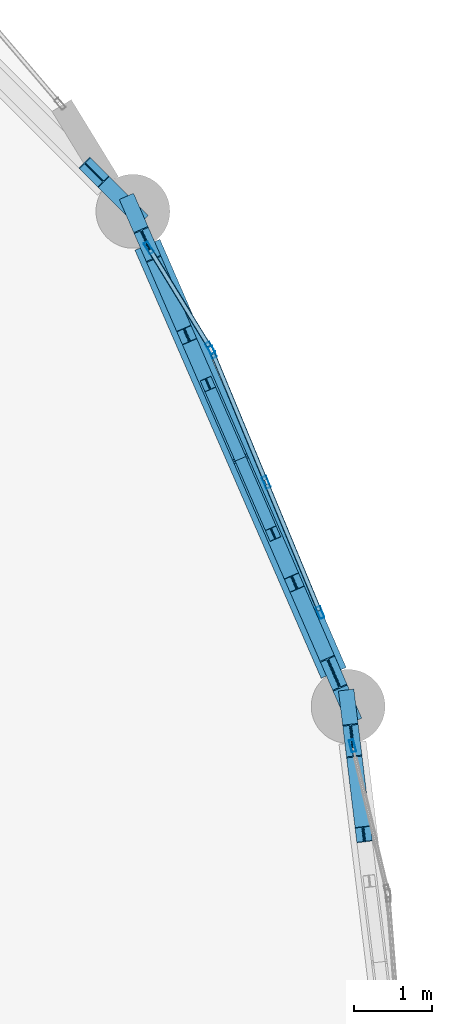
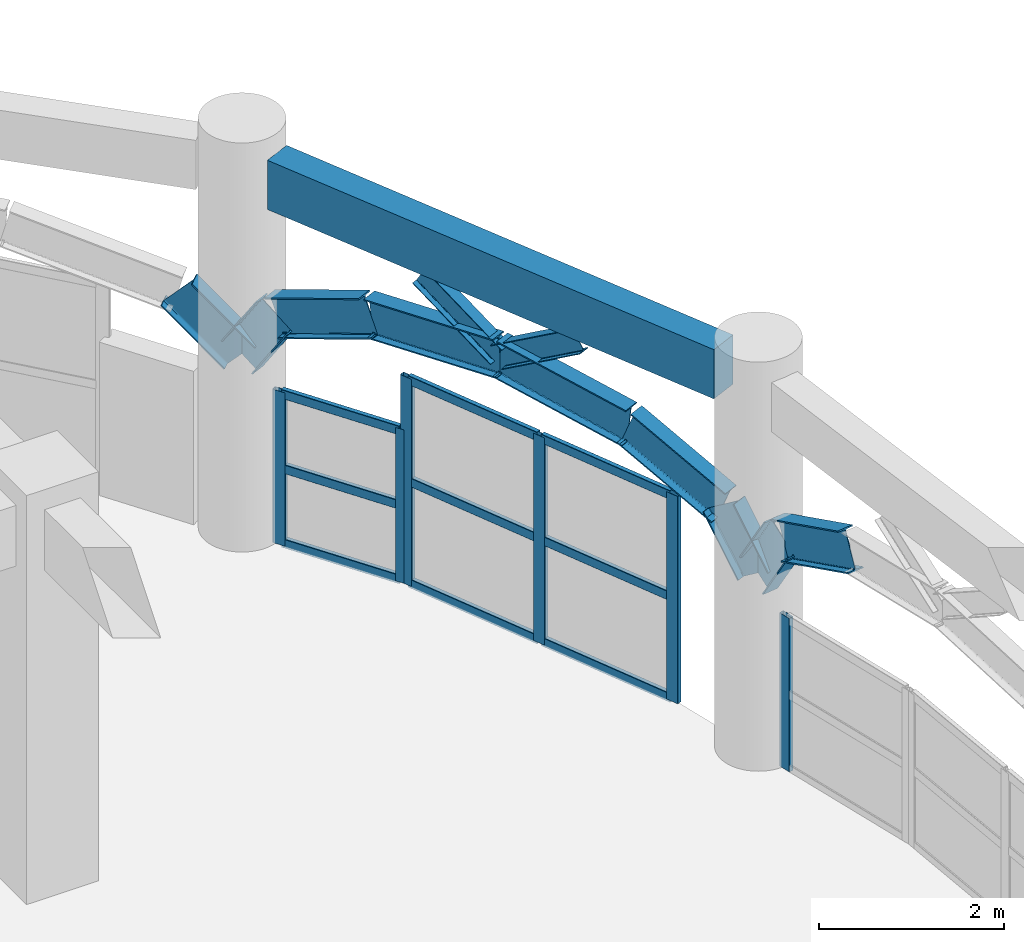
# One storey, part 77 of 114: 17 members, 10 beams, 3 elements without a shape of their own.
"""IFC4 building model written with IfcOpenShell, lengths in metres."""

from ifc_helpers import new_model, si_unit, derived_unit, direction, frame, origin, origin_2d, place, context, subcontext, project, spatial, rectangle, hollow_rectangle, i_section, extrude, material, layer, layer_set, material_profile, profile_set, type_object, element, aggregate, save


model = new_model("IFC4")

# Units and contexts
model_context = context("Model", 3, precision=1e-05, world=origin(), true_north=direction((0.0, 1.0)))
body_context = subcontext(model_context, "Body", "Model", "MODEL_VIEW")
ifc_project = project(units=[si_unit("LENGTHUNIT", "METRE"), si_unit("AREAUNIT", "SQUARE_METRE"), si_unit("VOLUMEUNIT", "CUBIC_METRE"), si_unit("PLANEANGLEUNIT", "RADIAN"), si_unit("MASSUNIT", "GRAM", prefix="KILO"), derived_unit("THERMALTRANSMITTANCEUNIT", [(si_unit("MASSUNIT", "GRAM", prefix="KILO"), 1), (si_unit("TIMEUNIT", "SECOND"), -3), (si_unit("THERMODYNAMICTEMPERATUREUNIT", "KELVIN"), -1)])], contexts=[model_context])

# Site, building, storey
site_placement = place(None, origin())
site = spatial("IfcSite", under=ifc_project, at=site_placement, CompositionType="ELEMENT")
building_placement = place(site_placement, origin())
building = spatial("IfcBuilding", under=site, at=building_placement, Name="Qinzheling Arcade Emporium", CompositionType="ELEMENT")
storey_placement = place(building_placement, frame((0.0, 0.0, 6.0)))
storey = spatial("IfcBuildingStorey", under=building, at=storey_placement, Name="L02", CompositionType="ELEMENT", Elevation=6.0)

# Beams
ifc_material_1 = material(Name="Weathering steel Q355NH", Category="steel")
ifc_material_profile_1 = material_profile(ifc_material_1, i_section(OverallWidth=0.199951171875, OverallDepth=0.5, WebThickness=0.010009765625, FlangeThickness=0.01611328125, FilletRadius=0.01806640625, at=origin_2d()), Name="HN 500x200x10x16", Category="steel")
ifc_profile_set_1 = profile_set([ifc_material_profile_1], Name="Weathering steel Q355NH")
beam_type_1 = type_object("IfcBeamType", Name="Arcade End Arch Rib HN500 Q355NH", PredefinedType="BEAM", material=ifc_profile_set_1)
beam_1_placement = place(storey_placement, frame((147.299072265625, 95.535888671875, 3.52392578125), z_axis=(-0.110489537564, 0.912000597688, -0.395027811559), x_axis=(-0.992741060672, -0.120271303542, 0.0)))
element("IfcBeam", 1, at=beam_1_placement, inside=storey, type_object=beam_type_1, Name="Curved Arcade Entrance Arch ARC-L02-CV6-B01-C05", PredefinedType="BEAM", context=body_context, shape_type="SweptSolid", body=[
    extrude(i_section(OverallWidth=0.199951171875, OverallDepth=0.5, WebThickness=0.010009765625, FlangeThickness=0.01611328125, FilletRadius=0.01806640625, at=origin_2d()), origin(), (0.0, 0.0, 1.0), 1.3212890625),
])
beam_2_placement = place(storey_placement, frame((147.153076171875, 96.740966796875, 3.001953125), z_axis=(-0.064298726931, 0.525445705147, -0.84839406213), x_axis=(-0.992595857829, -0.121463834208, 0.0)))
element("IfcBeam", 2, at=beam_2_placement, inside=storey, type_object=beam_type_1, Name="Curved Arcade Entrance Arch ARC-L02-CV6-B01-C06", PredefinedType="BEAM", context=body_context, shape_type="SweptSolid", body=[
    extrude(i_section(OverallWidth=0.199951171875, OverallDepth=0.5, WebThickness=0.010009765625, FlangeThickness=0.01611328125, FilletRadius=0.01806640625, at=origin_2d()), origin(), (0.0, 0.0, 1.0), 0.839111328125),
])
beam_3_placement = place(storey_placement, frame((147.09912109375, 97.181884765625, 2.2900390625), z_axis=(-0.218674086403, 0.501917292807, 0.836815795212), x_axis=(-0.916769795924, -0.399416000282, 0.0)))
element("IfcBeam", 3, at=beam_3_placement, inside=storey, type_object=beam_type_1, Name="Curved Arcade Entrance Arch ARC-L02-CV6-B02-C01", PredefinedType="BEAM", context=body_context, shape_type="SweptSolid", body=[
    extrude(i_section(OverallWidth=0.199951171875, OverallDepth=0.5, WebThickness=0.010009765625, FlangeThickness=0.01611328125, FilletRadius=0.01806640625, at=origin_2d()), origin(), (0.0, 0.0, 1.0), 0.850830078125),
])
beam_4_placement = place(storey_placement, frame((146.9130859375, 97.60888671875, 3.001953125), z_axis=(-0.368926708915, 0.848336043224, 0.379761821694), x_axis=(-0.917036474266, -0.398803341091, 0.0)))
element("IfcBeam", 4, at=beam_4_placement, inside=storey, type_object=beam_type_1, Name="Curved Arcade Entrance Arch ARC-L02-CV6-B02-C02", PredefinedType="BEAM", context=body_context, shape_type="SweptSolid", body=[
    extrude(i_section(OverallWidth=0.199951171875, OverallDepth=0.5, WebThickness=0.010009765625, FlangeThickness=0.01611328125, FilletRadius=0.01806640625, at=origin_2d()), origin(), (0.0, 0.0, 1.0), 1.37451171875),
])
beam_5_placement = place(storey_placement, frame((146.406005859375, 98.77490234375, 3.52392578125), z_axis=(-0.395985163318, 0.91171601646, 0.109405921975), x_axis=(-0.917221957661, -0.398376556017, 0.0)))
element("IfcBeam", 5, at=beam_5_placement, inside=storey, type_object=beam_type_1, Name="Curved Arcade Entrance Arch ARC-L02-CV6-B02-C03", PredefinedType="BEAM", context=body_context, shape_type="SweptSolid", body=[
    extrude(i_section(OverallWidth=0.199951171875, OverallDepth=0.5, WebThickness=0.010009765625, FlangeThickness=0.01611328125, FilletRadius=0.01806640625, at=origin_2d()), origin(), (0.0, 0.0, 1.0), 1.747314453125),
])
beam_6_placement = place(storey_placement, frame((145.714111328125, 100.367919921875, 3.715087890625), z_axis=(-0.396304880259, 0.911571119637, -0.109455633595), x_axis=(-0.91708123515, -0.398700398965, 0.0)))
element("IfcBeam", 6, at=beam_6_placement, inside=storey, type_object=beam_type_1, Name="Curved Arcade Entrance Arch ARC-L02-CV6-B02-C04", PredefinedType="BEAM", context=body_context, shape_type="SweptSolid", body=[
    extrude(i_section(OverallWidth=0.199951171875, OverallDepth=0.5, WebThickness=0.010009765625, FlangeThickness=0.01611328125, FilletRadius=0.01806640625, at=origin_2d()), origin(), (0.0, 0.0, 1.0), 1.74658203125),
])
beam_7_placement = place(storey_placement, frame((145.02197265625, 101.9599609375, 3.52392578125), z_axis=(-0.368926708915, 0.848336043224, -0.379761821694), x_axis=(-0.917036474266, -0.398803341091, 0.0)))
element("IfcBeam", 7, at=beam_7_placement, inside=storey, type_object=beam_type_1, Name="Curved Arcade Entrance Arch ARC-L02-CV6-B02-C05", PredefinedType="BEAM", context=body_context, shape_type="SweptSolid", body=[
    extrude(i_section(OverallWidth=0.199951171875, OverallDepth=0.5, WebThickness=0.010009765625, FlangeThickness=0.01611328125, FilletRadius=0.01806640625, at=origin_2d()), origin(), (0.0, 0.0, 1.0), 1.37451171875),
])
beam_8_placement = place(storey_placement, frame((144.514892578125, 103.1259765625, 3.001953125), z_axis=(-0.218400809442, 0.501948772293, -0.836868279019), x_axis=(-0.916961666112, -0.39897531613, 0.0)))
element("IfcBeam", 8, at=beam_8_placement, inside=storey, type_object=beam_type_1, Name="Curved Arcade Entrance Arch ARC-L02-CV6-B02-C06", PredefinedType="BEAM", context=body_context, shape_type="SweptSolid", body=[
    extrude(i_section(OverallWidth=0.199951171875, OverallDepth=0.5, WebThickness=0.010009765625, FlangeThickness=0.01611328125, FilletRadius=0.01806640625, at=origin_2d()), origin(), (0.0, 0.0, 1.0), 0.8505859375),
])
beam_9_placement = place(storey_placement, frame((144.3291015625, 103.552978515625, 2.2900390625), z_axis=(-0.498975044256, 0.498731997473, 0.708724417462), x_axis=(-0.706934505209, -0.707279015202, 0.0)))
element("IfcBeam", 9, at=beam_9_placement, inside=storey, type_object=beam_type_1, Name="Curved Arcade Entrance Arch ARC-L02-CV6-B03-C01", PredefinedType="BEAM", context=body_context, shape_type="SweptSolid", body=[
    extrude(i_section(OverallWidth=0.199951171875, OverallDepth=0.5, WebThickness=0.010009765625, FlangeThickness=0.01611328125, FilletRadius=0.01806640625, at=origin_2d()), origin(), (0.0, 0.0, 1.0), 1.00439453125),
])

# Members
ifc_material_profile_2 = material_profile(ifc_material_1, i_section(OverallWidth=0.14990234375, OverallDepth=0.300048828125, WebThickness=0.006591796875, FlangeThickness=0.009033203125, FilletRadius=0.012939453125, at=origin_2d()), Name="HN 300x150x6.5x9", Category="steel")
ifc_profile_set_2 = profile_set([ifc_material_profile_2], Name="Weathering steel Q355NH")
member_type_1 = type_object("IfcMemberType", Name="Arcade Spandrel Web Chord HN300 Q355NH", PredefinedType="CHORD", material=ifc_profile_set_2)
member_1_placement = place(storey_placement, frame((145.714111328125, 100.367919921875, 3.72509765625), z_axis=(0.340691974332, -0.783035633314, 0.520369268488), x_axis=(0.916966529265, 0.398964139001, 0.0)))
element("IfcMember", 10, at=member_1_placement, inside=storey, type_object=member_type_1, Name="Arcade Spandrel Web Chord ASW-L02-CV6-B02-W1", PredefinedType="CHORD", context=body_context, shape_type="SweptSolid", body=[
    extrude(i_section(OverallWidth=0.14990234375, OverallDepth=0.300048828125, WebThickness=0.006591796875, FlangeThickness=0.009033203125, FilletRadius=0.012939453125, at=origin_2d()), origin(), (0.0, 0.0, 1.0), 1.229736328125),
])
member_2_placement = place(storey_placement, frame((145.714111328125, 100.367919921875, 3.72509765625), z_axis=(-0.341026456136, 0.782752046379, 0.520576785983), x_axis=(-0.916770234245, -0.399414994214, 0.0)))
element("IfcMember", 11, at=member_2_placement, inside=storey, type_object=member_type_1, Name="Arcade Spandrel Web Chord ASW-L02-CV6-B02-W2", PredefinedType="CHORD", context=body_context, shape_type="SweptSolid", body=[
    extrude(i_section(OverallWidth=0.14990234375, OverallDepth=0.300048828125, WebThickness=0.006591796875, FlangeThickness=0.009033203125, FilletRadius=0.012939453125, at=origin_2d()), origin(), (0.0, 0.0, 1.0), 1.229248046875),
])

# Curtain wall, members
ifc_material_2 = material(Name="Anodised aluminium and solar-control double glazing", Category="aluminium")
ifc_layer = layer(ifc_material_2, 0.159912109375, Name="Anodised aluminium and solar-control double glazing", Category="aluminium")
ifc_layer_set = layer_set([ifc_layer], Name="Anodised aluminium and solar-control double glazing")
curtain_wall_type = type_object("IfcCurtainWallType", Name="Curved Ribbon Sales Curtain Wall", PredefinedType="NOTDEFINED", material=ifc_layer_set)
curtain_wall_1_placement = place(storey_placement, origin())
curtain_wall_1 = element("IfcCurtainWall", 12, at=curtain_wall_1_placement, inside=storey, type_object=curtain_wall_type, Name="Curtain Wall CW-L02-109", PredefinedType="NOTDEFINED")
ifc_material_3 = material(Name="Anodised aluminium 6063-T6", Category="aluminium")
ifc_material_profile_3 = material_profile(ifc_material_3, hollow_rectangle(XDim=0.06005859375, YDim=0.159912109375, WallThickness=0.00390625, InnerFilletRadius=0.00390625, OuterFilletRadius=0.008056640625, at=origin_2d()), Name="RHS 160x60x4", Category="aluminium")
ifc_profile_set_3 = profile_set([ifc_material_profile_3], Name="Anodised aluminium 6063-T6")
member_type_2 = type_object("IfcMemberType", Name="Curtain Wall Mullion RHS160x60", PredefinedType="MULLION", material=ifc_profile_set_3)
member_3_placement = place(storey_placement, frame((144.53369140625, 103.08349609375, 0.0), z_axis=(0.0, 0.0, 1.0), x_axis=(0.852683550912, 0.522427757689, 0.0)))
member_3 = element("IfcMember", 13, at=member_3_placement, type_object=member_type_2, Name="CW02 mullion 1", PredefinedType="MULLION", context=body_context, shape_type="SweptSolid", body=[
    extrude(hollow_rectangle(XDim=0.06005859375, YDim=0.159912109375, WallThickness=0.00390625, InnerFilletRadius=0.00390625, OuterFilletRadius=0.008056640625, at=origin_2d()), origin(), (0.0, 0.0, 1.0), 2.02490234375),
])
member_4_placement = place(storey_placement, frame((145.3232421875, 101.794677734375, 0.0), z_axis=(0.0, 0.0, 1.0), x_axis=(0.852683550912, 0.522427757689, 0.0)))
member_4 = element("IfcMember", 14, at=member_4_placement, type_object=member_type_2, Name="CW02 mullion 2", PredefinedType="MULLION", context=body_context, shape_type="SweptSolid", body=[
    extrude(hollow_rectangle(XDim=0.06005859375, YDim=0.159912109375, WallThickness=0.00390625, InnerFilletRadius=0.00390625, OuterFilletRadius=0.008056640625, at=origin_2d()), origin(), (0.0, 0.0, 1.0), 2.02490234375),
])

curtain_wall_2_placement = place(storey_placement, origin())
curtain_wall_2 = element("IfcCurtainWall", 15, at=curtain_wall_2_placement, inside=storey, type_object=curtain_wall_type, Name="Curtain Wall CW-L02-110", PredefinedType="NOTDEFINED")
member_5_placement = place(storey_placement, frame((145.3505859375, 101.7412109375, 0.0), z_axis=(0.0, 0.0, 1.0), x_axis=(0.923901161255, 0.382631211784, 0.0)))
member_5 = element("IfcMember", 16, at=member_5_placement, type_object=member_type_2, Name="CW02 mullion 1", PredefinedType="MULLION", context=body_context, shape_type="SweptSolid", body=[
    extrude(hollow_rectangle(XDim=0.06005859375, YDim=0.159912109375, WallThickness=0.00390625, InnerFilletRadius=0.00390625, OuterFilletRadius=0.008056640625, at=origin_2d()), origin(), (0.0, 0.0, 1.0), 2.737060546875),
])
member_6_placement = place(storey_placement, frame((146.04443359375, 100.0654296875, 0.0), z_axis=(0.0, 0.0, 1.0), x_axis=(0.923901161255, 0.382631211784, 0.0)))
member_6 = element("IfcMember", 17, at=member_6_placement, type_object=member_type_2, Name="CW02 mullion 2", PredefinedType="MULLION", context=body_context, shape_type="SweptSolid", body=[
    extrude(hollow_rectangle(XDim=0.06005859375, YDim=0.159912109375, WallThickness=0.00390625, InnerFilletRadius=0.00390625, OuterFilletRadius=0.008056640625, at=origin_2d()), origin(), (0.0, 0.0, 1.0), 2.737060546875),
])
member_7_placement = place(storey_placement, frame((146.738525390625, 98.3896484375, 0.0), z_axis=(0.0, 0.0, 1.0), x_axis=(0.923901161255, 0.382631211784, 0.0)))
member_7 = element("IfcMember", 18, at=member_7_placement, type_object=member_type_2, Name="CW02 mullion 3", PredefinedType="MULLION", context=body_context, shape_type="SweptSolid", body=[
    extrude(hollow_rectangle(XDim=0.06005859375, YDim=0.159912109375, WallThickness=0.00390625, InnerFilletRadius=0.00390625, OuterFilletRadius=0.008056640625, at=origin_2d()), origin(), (0.0, 0.0, 1.0), 2.737060546875),
])

# Curtain wall, member
curtain_wall_3_placement = place(storey_placement, origin())
curtain_wall_3 = element("IfcCurtainWall", 19, at=curtain_wall_3_placement, inside=storey, type_object=curtain_wall_type, Name="Curtain Wall CW-L02-111", PredefinedType="NOTDEFINED")
member_8_placement = place(storey_placement, frame((147.155029296875, 96.673828125, 0.0), z_axis=(0.0, 0.0, 1.0), x_axis=(0.972327728237, 0.233621036939, 0.0)))
member_8 = element("IfcMember", 20, at=member_8_placement, type_object=member_type_2, Name="CW02 mullion 1", PredefinedType="MULLION", context=body_context, shape_type="SweptSolid", body=[
    extrude(hollow_rectangle(XDim=0.06005859375, YDim=0.159912109375, WallThickness=0.00390625, InnerFilletRadius=0.00390625, OuterFilletRadius=0.008056640625, at=origin_2d()), origin(), (0.0, 0.0, 1.0), 2.02490234375),
])
aggregate(curtain_wall_3, [member_8])

# Member
ifc_material_profile_4 = material_profile(ifc_material_3, hollow_rectangle(XDim=0.06005859375, YDim=0.1201171875, WallThickness=0.00390625, InnerFilletRadius=0.00390625, OuterFilletRadius=0.008056640625, at=origin_2d()), Name="RHS 120x60x4", Category="aluminium")
ifc_profile_set_4 = profile_set([ifc_material_profile_4], Name="Anodised aluminium 6063-T6")
member_type_3 = type_object("IfcMemberType", Name="Curtain Wall Transom RHS120x60", PredefinedType="USERDEFINED", material=ifc_profile_set_4)
member_9_placement = place(storey_placement, frame((144.54931640625, 103.057861328125, 0.030029296875), z_axis=(0.522388516899, -0.852707591975, 0.0), x_axis=(0.852707591975, 0.522388516899, 0.0)))
member_9 = element("IfcMember", 21, at=member_9_placement, type_object=member_type_3, Name="CW02 transom 1.1", ObjectType="TRANSOM", PredefinedType="USERDEFINED", context=body_context, shape_type="SweptSolid", body=[
    extrude(hollow_rectangle(XDim=0.06005859375, YDim=0.1201171875, WallThickness=0.00390625, InnerFilletRadius=0.00390625, OuterFilletRadius=0.008056640625, at=origin_2d()), origin(), (0.0, 0.0, 1.0), 1.45166015625),
])

member_10_placement = place(storey_placement, frame((144.54931640625, 103.057861328125, 1.012939453125), z_axis=(0.522388516899, -0.852707591975, 0.0), x_axis=(0.852707591975, 0.522388516899, 0.0)))
member_10 = element("IfcMember", 22, at=member_10_placement, type_object=member_type_3, Name="CW02 transom 1.2", ObjectType="TRANSOM", PredefinedType="USERDEFINED", context=body_context, shape_type="SweptSolid", body=[
    extrude(hollow_rectangle(XDim=0.06005859375, YDim=0.1201171875, WallThickness=0.00390625, InnerFilletRadius=0.00390625, OuterFilletRadius=0.008056640625, at=origin_2d()), origin(), (0.0, 0.0, 1.0), 1.45166015625),
])

member_11_placement = place(storey_placement, frame((144.54931640625, 103.057861328125, 1.9951171875), z_axis=(0.522388516899, -0.852707591975, 0.0), x_axis=(0.852707591975, 0.522388516899, 0.0)))
member_11 = element("IfcMember", 23, at=member_11_placement, type_object=member_type_3, Name="CW02 transom 1.3", ObjectType="TRANSOM", PredefinedType="USERDEFINED", context=body_context, shape_type="SweptSolid", body=[
    extrude(hollow_rectangle(XDim=0.06005859375, YDim=0.1201171875, WallThickness=0.00390625, InnerFilletRadius=0.00390625, OuterFilletRadius=0.008056640625, at=origin_2d()), origin(), (0.0, 0.0, 1.0), 1.45166015625),
])

aggregate(curtain_wall_1, [member_3, member_4, member_9, member_10, member_11])

member_12_placement = place(storey_placement, frame((145.362060546875, 101.713623046875, 0.030029296875), z_axis=(0.382548515059, -0.923935405549, 0.0), x_axis=(0.923935405549, 0.382548515059, 0.0)))
member_12 = element("IfcMember", 24, at=member_12_placement, type_object=member_type_3, Name="CW02 transom 1.1", ObjectType="TRANSOM", PredefinedType="USERDEFINED", context=body_context, shape_type="SweptSolid", body=[
    extrude(hollow_rectangle(XDim=0.06005859375, YDim=0.1201171875, WallThickness=0.00390625, InnerFilletRadius=0.00390625, OuterFilletRadius=0.008056640625, at=origin_2d()), origin(), (0.0, 0.0, 1.0), 1.753662109375),
])

member_13_placement = place(storey_placement, frame((145.362060546875, 101.713623046875, 1.368896484375), z_axis=(0.382548515059, -0.923935405549, 0.0), x_axis=(0.923935405549, 0.382548515059, 0.0)))
member_13 = element("IfcMember", 25, at=member_13_placement, type_object=member_type_3, Name="CW02 transom 1.2", ObjectType="TRANSOM", PredefinedType="USERDEFINED", context=body_context, shape_type="SweptSolid", body=[
    extrude(hollow_rectangle(XDim=0.06005859375, YDim=0.1201171875, WallThickness=0.00390625, InnerFilletRadius=0.00390625, OuterFilletRadius=0.008056640625, at=origin_2d()), origin(), (0.0, 0.0, 1.0), 1.753662109375),
])

member_14_placement = place(storey_placement, frame((145.362060546875, 101.713623046875, 2.70703125), z_axis=(0.382548515059, -0.923935405549, 0.0), x_axis=(0.923935405549, 0.382548515059, 0.0)))
member_14 = element("IfcMember", 26, at=member_14_placement, type_object=member_type_3, Name="CW02 transom 1.3", ObjectType="TRANSOM", PredefinedType="USERDEFINED", context=body_context, shape_type="SweptSolid", body=[
    extrude(hollow_rectangle(XDim=0.06005859375, YDim=0.1201171875, WallThickness=0.00390625, InnerFilletRadius=0.00390625, OuterFilletRadius=0.008056640625, at=origin_2d()), origin(), (0.0, 0.0, 1.0), 1.753662109375),
])

member_15_placement = place(storey_placement, frame((146.055908203125, 100.037841796875, 0.030029296875), z_axis=(0.38266734293, -0.923886196809, 0.0), x_axis=(0.923886196809, 0.38266734293, 0.0)))
member_15 = element("IfcMember", 27, at=member_15_placement, type_object=member_type_3, Name="CW02 transom 2.1", ObjectType="TRANSOM", PredefinedType="USERDEFINED", context=body_context, shape_type="SweptSolid", body=[
    extrude(hollow_rectangle(XDim=0.06005859375, YDim=0.1201171875, WallThickness=0.00390625, InnerFilletRadius=0.00390625, OuterFilletRadius=0.008056640625, at=origin_2d()), origin(), (0.0, 0.0, 1.0), 1.75390625),
])

member_16_placement = place(storey_placement, frame((146.055908203125, 100.037841796875, 1.368896484375), z_axis=(0.38266734293, -0.923886196809, 0.0), x_axis=(0.923886196809, 0.38266734293, 0.0)))
member_16 = element("IfcMember", 28, at=member_16_placement, type_object=member_type_3, Name="CW02 transom 2.2", ObjectType="TRANSOM", PredefinedType="USERDEFINED", context=body_context, shape_type="SweptSolid", body=[
    extrude(hollow_rectangle(XDim=0.06005859375, YDim=0.1201171875, WallThickness=0.00390625, InnerFilletRadius=0.00390625, OuterFilletRadius=0.008056640625, at=origin_2d()), origin(), (0.0, 0.0, 1.0), 1.75390625),
])

member_17_placement = place(storey_placement, frame((146.055908203125, 100.037841796875, 2.70703125), z_axis=(0.38266734293, -0.923886196809, 0.0), x_axis=(0.923886196809, 0.38266734293, 0.0)))
member_17 = element("IfcMember", 29, at=member_17_placement, type_object=member_type_3, Name="CW02 transom 2.3", ObjectType="TRANSOM", PredefinedType="USERDEFINED", context=body_context, shape_type="SweptSolid", body=[
    extrude(hollow_rectangle(XDim=0.06005859375, YDim=0.1201171875, WallThickness=0.00390625, InnerFilletRadius=0.00390625, OuterFilletRadius=0.008056640625, at=origin_2d()), origin(), (0.0, 0.0, 1.0), 1.75390625),
])

aggregate(curtain_wall_2, [member_5, member_6, member_7, member_12, member_13, member_14, member_15, member_16, member_17])

# Beam
ifc_material_4 = material(Name="Concrete C40", Category="concrete")
ifc_material_profile_5 = material_profile(ifc_material_4, rectangle(XDim=0.35009765625, YDim=0.64990234375, at=origin_2d()), Name="RC 350x650", Category="concrete")
ifc_profile_set_5 = profile_set([ifc_material_profile_5], Name="Concrete C40")
beam_type_2 = type_object("IfcBeamType", Name="RC Spandrel Edge Beam 350x650 C40", PredefinedType="SPANDREL", material=ifc_profile_set_5)
beam_10_placement = place(storey_placement, frame((146.912109375, 97.613037109375, 4.81005859375), z_axis=(-0.398833101569, 0.917023531374, 0.0), x_axis=(-0.917023531374, -0.398833101569, 0.0)))
element("IfcBeam", 30, at=beam_10_placement, inside=storey, type_object=beam_type_2, Name="Curved Arcade Spandrel BM-L02-CV6-B02", PredefinedType="SPANDREL", context=body_context, shape_type="SweptSolid", body=[
    extrude(rectangle(XDim=0.35009765625, YDim=0.64990234375, at=origin_2d()), origin(), (0.0, 0.0, 1.0), 6.007568359375),
])

save(model, "model.ifc")
